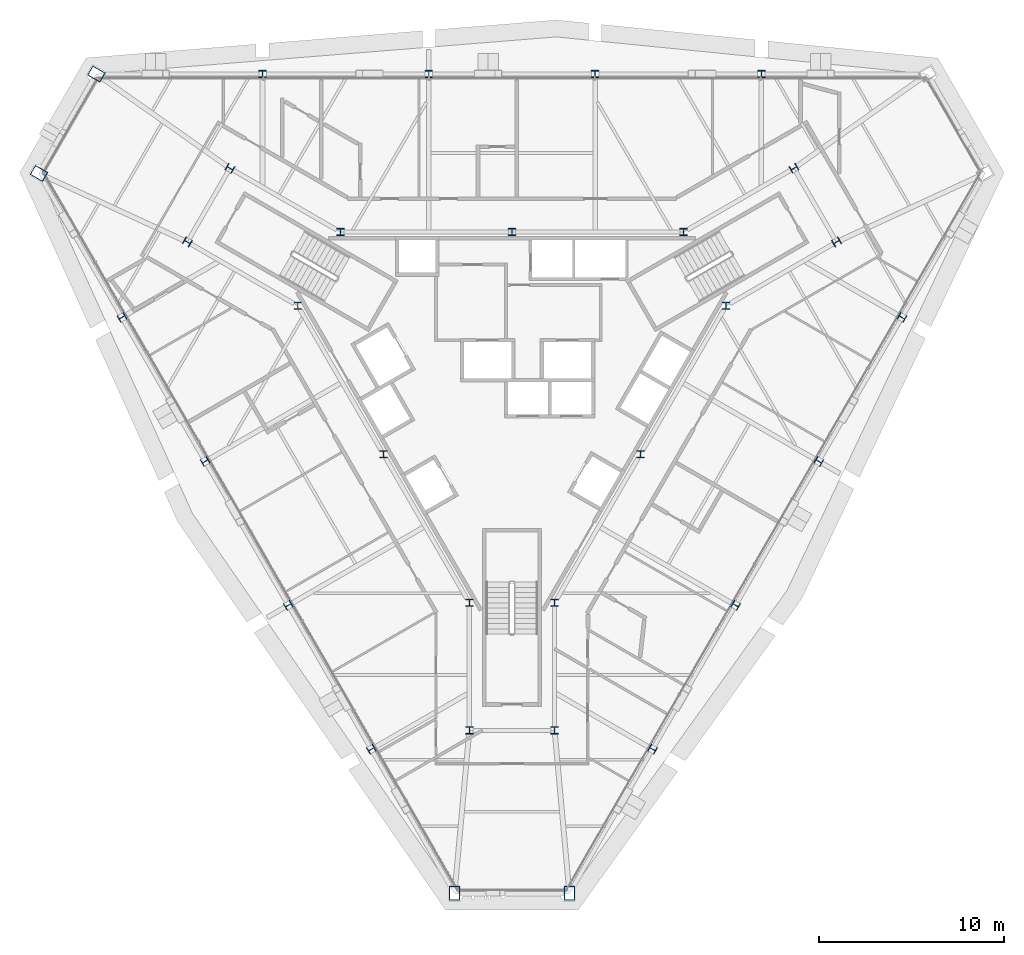
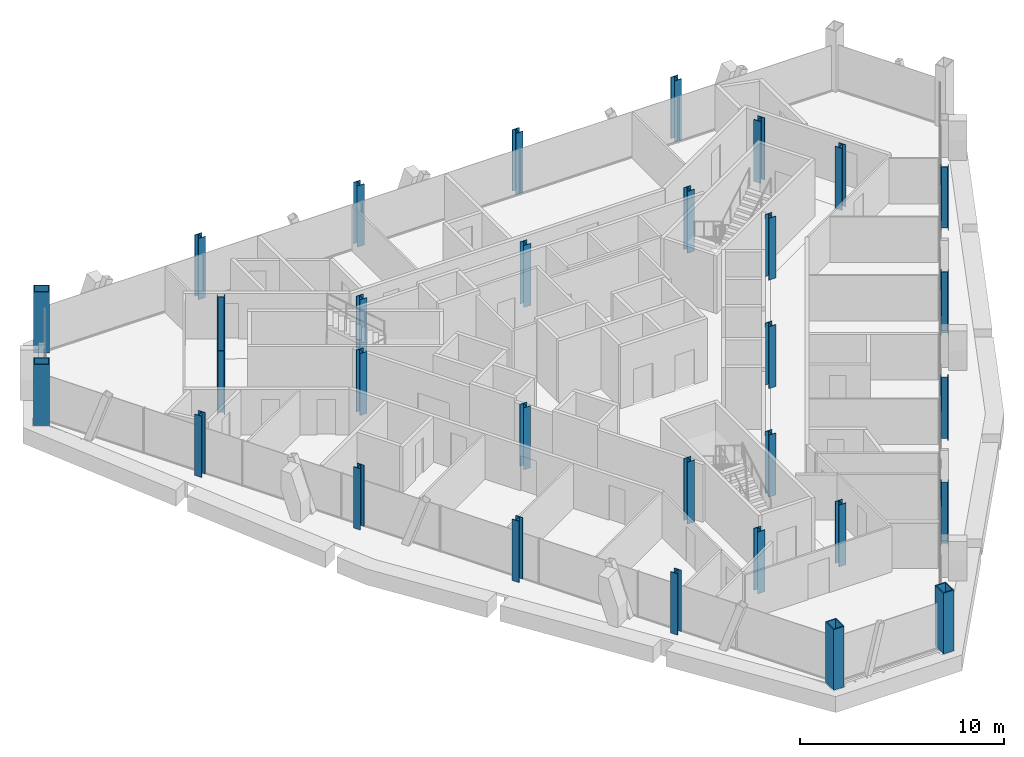
# One storey, part 1 of 16: 31 columns.
"""IFC4 building model written with IfcOpenShell, lengths in metres."""

from ifc_helpers import new_model, si_unit, direction, frame, origin, origin_2d, place, context, subcontext, project, spatial, hollow_rectangle, i_section, extrude, material, material_profile, profile_set, type_object, element, save


model = new_model("IFC4")

# Units and contexts
model_context = context("Model", 3, precision=1e-05, world=origin(), true_north=direction((0.0, 1.0)))
body_context = subcontext(model_context, "Body", "Model", "MODEL_VIEW")
ifc_project = project(units=[si_unit("LENGTHUNIT", "METRE"), si_unit("AREAUNIT", "SQUARE_METRE"), si_unit("VOLUMEUNIT", "CUBIC_METRE"), si_unit("PLANEANGLEUNIT", "RADIAN"), si_unit("MASSUNIT", "GRAM", prefix="KILO")], contexts=[model_context])

# Site, building, storey
site_placement = place(None, origin())
site = spatial("IfcSite", under=ifc_project, at=site_placement, CompositionType="ELEMENT")
building_placement = place(site_placement, origin())
building = spatial("IfcBuilding", under=site, at=building_placement, Name="Verrane Prism Tower", CompositionType="ELEMENT")
storey_placement = place(building_placement, frame((0.0, 0.0, 239.699951171875)))
storey = spatial("IfcBuildingStorey", under=building, at=storey_placement, Name="L60", CompositionType="ELEMENT", Elevation=239.699951171875)

# Columns
ifc_material_1 = material(Name="Steel A992", Category="steel")
ifc_material_profile_1 = material_profile(ifc_material_1, i_section(OverallWidth=0.4013671875, OverallDepth=0.398681640625, WebThickness=0.02490234375, FlangeThickness=0.03955078125, FilletRadius=0.01513671875, at=origin_2d()), Name="W14x211")
ifc_profile_set_1 = profile_set([ifc_material_profile_1], Name="Steel A992")
column_type_1 = type_object("IfcColumnType", Name="Core corner column W14x211", PredefinedType="COLUMN", material=ifc_profile_set_1)
for number, where, z_axis, x_axis, name in (
    (1, (17.52001953125, 7.4599609375, 0.0), (0.0, 0.0, 1.0), (0.5, -0.866025403784, 0.0), "Core corner column CK-NEm L60"),
    (2, (15.219970703125, 11.43994140625, 0.0), (0.0, 0.0, 1.0), (0.5, -0.866025403784, 0.0), "Core corner column CK-NEp L60"),
    (3, (-15.219970703125, 11.43994140625, 0.0), (0.0, 0.0, 1.0), (0.5, 0.866025403784, 0.0), "Core corner column CK-NWm L60"),
    (4, (-17.52001953125, 7.4599609375, 0.0), (0.0, 0.0, 1.0), (0.5, 0.866025403784, 0.0), "Core corner column CK-NWp L60"),
    (5, (-2.300048828125, -18.89990234375, 0.0), (0.0, 0.0, 1.0), (-1.0, 0.0, 0.0), "Core corner column CK-Sm L60"),
    (6, (2.300048828125, -18.89990234375, 0.0), (0.0, 0.0, 1.0), (-1.0, 0.0, 0.0), "Core corner column CK-Sp L60"),
):
    element("IfcColumn", number, at=place(storey_placement, frame(where, z_axis=z_axis, x_axis=x_axis)), inside=storey, type_object=column_type_1, Name=name, PredefinedType="COLUMN", context=body_context, shape_type="SweptSolid", body=[
        extrude(i_section(OverallWidth=0.4013671875, OverallDepth=0.398681640625, WebThickness=0.02490234375, FlangeThickness=0.03955078125, FilletRadius=0.01513671875, at=origin_2d()), origin(), (0.0, 0.0, 1.0), 3.699951171875),
    ])
ifc_material_2 = material(Name="Steel A992", Category="steel")
ifc_material_profile_2 = material_profile(ifc_material_2, i_section(OverallWidth=0.398681640625, OverallDepth=0.385986328125, WebThickness=0.02099609375, FlangeThickness=0.033203125, FilletRadius=0.01513671875, at=origin_2d()), Name="W14x176")
ifc_profile_set_2 = profile_set([ifc_material_profile_2], Name="Steel A992")
column_type_2 = type_object("IfcColumnType", Name="Core side column W14x176", PredefinedType="COLUMN", material=ifc_profile_set_2)
for number, where, z_axis, x_axis, name in (
    (7, (11.56005859375, 4.02001953125, 0.0), (0.0, 0.0, 1.0), (1.0, 0.0, 0.0), "Core side column CC-NEm L60"),
    (8, (9.260009765625, 8.0, 0.0), (0.0, 0.0, 1.0), (1.0, 0.0, 0.0), "Core side column CC-NEp L60"),
    (9, (0.0, 8.0, 0.0), (0.0, 0.0, 1.0), (1.0, 0.0, 0.0), "Core side column CC-N0 L60"),
    (10, (-9.260009765625, 8.0, 0.0), (0.0, 0.0, 1.0), (1.0, 0.0, 0.0), "Core side column CC-NWm L60"),
    (11, (-11.56005859375, 4.02001953125, 0.0), (0.0, 0.0, 1.0), (1.0, 0.0, 0.0), "Core side column CC-NWp L60"),
    (12, (-6.929931640625, -4.0, 0.0), (0.0, 0.0, 1.0), (1.0, 0.0, 0.0), "Core side column CC-SW0 L60"),
    (13, (-2.300048828125, -12.02001953125, 0.0), (0.0, 0.0, 1.0), (1.0, 0.0, 0.0), "Core side column CC-Sm L60"),
    (14, (2.300048828125, -12.02001953125, 0.0), (0.0, 0.0, 1.0), (1.0, 0.0, 0.0), "Core side column CC-Sp L60"),
    (15, (6.929931640625, -4.0, 0.0), (0.0, 0.0, 1.0), (1.0, 0.0, 0.0), "Core side column CC-SE0 L60"),
):
    element("IfcColumn", number, at=place(storey_placement, frame(where, z_axis=z_axis, x_axis=x_axis)), inside=storey, type_object=column_type_2, Name=name, PredefinedType="COLUMN", context=body_context, shape_type="SweptSolid", body=[
        extrude(i_section(OverallWidth=0.398681640625, OverallDepth=0.385986328125, WebThickness=0.02099609375, FlangeThickness=0.033203125, FilletRadius=0.01513671875, at=origin_2d()), origin(), (0.0, 0.0, 1.0), 3.699951171875),
    ])
ifc_material_3 = material(Name="Steel A572 Grade 50", Category="steel")
ifc_material_profile_3 = material_profile(ifc_material_3, hollow_rectangle(XDim=0.60009765625, YDim=0.800048828125, WallThickness=0.050048828125, at=origin_2d()), Name="BOX 800x600x50")
ifc_profile_set_3 = profile_set([ifc_material_profile_3], Name="Steel A572 Grade 50")
column_type_3 = type_object("IfcColumnType", Name="Megacolumn BOX 800x600x50", PredefinedType="COLUMN", material=ifc_profile_set_3)
for number, where, z_axis, x_axis, name in (
    (16, (-22.429931640625, 16.530029296875, 0.0), (0.0, 0.0, 1.0), (0.5, 0.866025403784, 0.0), "Megacolumn MC-NW.a L60"),
    (17, (-25.530029296875, 11.159912109375, 0.0), (0.0, 0.0, 1.0), (0.5, 0.866025403784, 0.0), "Megacolumn MC-NW.b L60"),
    (18, (-3.10009765625, -27.68994140625, 0.0), (0.0, 0.0, 1.0), (-1.0, 0.0, 0.0), "Megacolumn MC-S.a L60"),
    (19, (3.10009765625, -27.68994140625, 0.0), (0.0, 0.0, 1.0), (-1.0, 0.0, 0.0), "Megacolumn MC-S.b L60"),
):
    element("IfcColumn", number, at=place(storey_placement, frame(where, z_axis=z_axis, x_axis=x_axis)), inside=storey, type_object=column_type_3, Name=name, PredefinedType="COLUMN", context=body_context, shape_type="SweptSolid", body=[
        extrude(hollow_rectangle(XDim=0.60009765625, YDim=0.800048828125, WallThickness=0.050048828125, at=origin_2d()), origin(), (0.0, 0.0, 1.0), 3.635009765625),
    ])
ifc_material_4 = material(Name="Steel A992", Category="steel")
ifc_material_profile_4 = material_profile(ifc_material_4, i_section(OverallWidth=0.398681640625, OverallDepth=0.385986328125, WebThickness=0.02099609375, FlangeThickness=0.033203125, FilletRadius=0.01513671875, at=origin_2d()), Name="W14x176")
ifc_profile_set_4 = profile_set([ifc_material_profile_4], Name="Steel A992")
column_type_4 = type_object("IfcColumnType", Name="Perimeter column W14x176", PredefinedType="COLUMN", material=ifc_profile_set_4)
for number, where, z_axis, x_axis, name in (
    (20, (13.4599609375, 16.530029296875, 0.0), (0.0, 0.0, 1.0), (1.0, 0.0, 0.0), "Perimeter column PC-N1 L60"),
    (21, (4.489990234375, 16.530029296875, 0.0), (0.0, 0.0, 1.0), (1.0, 0.0, 0.0), "Perimeter column PC-N2 L60"),
    (22, (-4.489990234375, 16.530029296875, 0.0), (0.0, 0.0, 1.0), (1.0, 0.0, 0.0), "Perimeter column PC-N3 L60"),
    (23, (-13.4599609375, 16.530029296875, 0.0), (0.0, 0.0, 1.0), (1.0, 0.0, 0.0), "Perimeter column PC-N4 L60"),
    (24, (-21.050048828125, 3.389892578125, 0.0), (0.0, 0.0, 1.0), (-0.5, 0.866025403784, 0.0), "Perimeter column PC-SW1 L60"),
    (25, (-16.56005859375, -4.3798828125, 0.0), (0.0, 0.0, 1.0), (-0.5, 0.866025403784, 0.0), "Perimeter column PC-SW2 L60"),
    (26, (-12.070068359375, -12.14990234375, 0.0), (0.0, 0.0, 1.0), (-0.5, 0.866025403784, 0.0), "Perimeter column PC-SW3 L60"),
    (27, (-7.590087890625, -19.919921875, 0.0), (0.0, 0.0, 1.0), (-0.5, 0.866025403784, 0.0), "Perimeter column PC-SW4 L60"),
    (28, (7.590087890625, -19.919921875, 0.0), (0.0, 0.0, 1.0), (-0.5, -0.866025403784, 0.0), "Perimeter column PC-SE1 L60"),
    (29, (12.070068359375, -12.14990234375, 0.0), (0.0, 0.0, 1.0), (-0.5, -0.866025403784, 0.0), "Perimeter column PC-SE2 L60"),
    (30, (16.56005859375, -4.3798828125, 0.0), (0.0, 0.0, 1.0), (-0.5, -0.866025403784, 0.0), "Perimeter column PC-SE3 L60"),
    (31, (21.050048828125, 3.389892578125, 0.0), (0.0, 0.0, 1.0), (-0.5, -0.866025403784, 0.0), "Perimeter column PC-SE4 L60"),
):
    element("IfcColumn", number, at=place(storey_placement, frame(where, z_axis=z_axis, x_axis=x_axis)), inside=storey, type_object=column_type_4, Name=name, PredefinedType="COLUMN", context=body_context, shape_type="SweptSolid", body=[
        extrude(i_section(OverallWidth=0.398681640625, OverallDepth=0.385986328125, WebThickness=0.02099609375, FlangeThickness=0.033203125, FilletRadius=0.01513671875, at=origin_2d()), origin(), (0.0, 0.0, 1.0), 3.6650390625),
    ])

save(model, "model.ifc")
